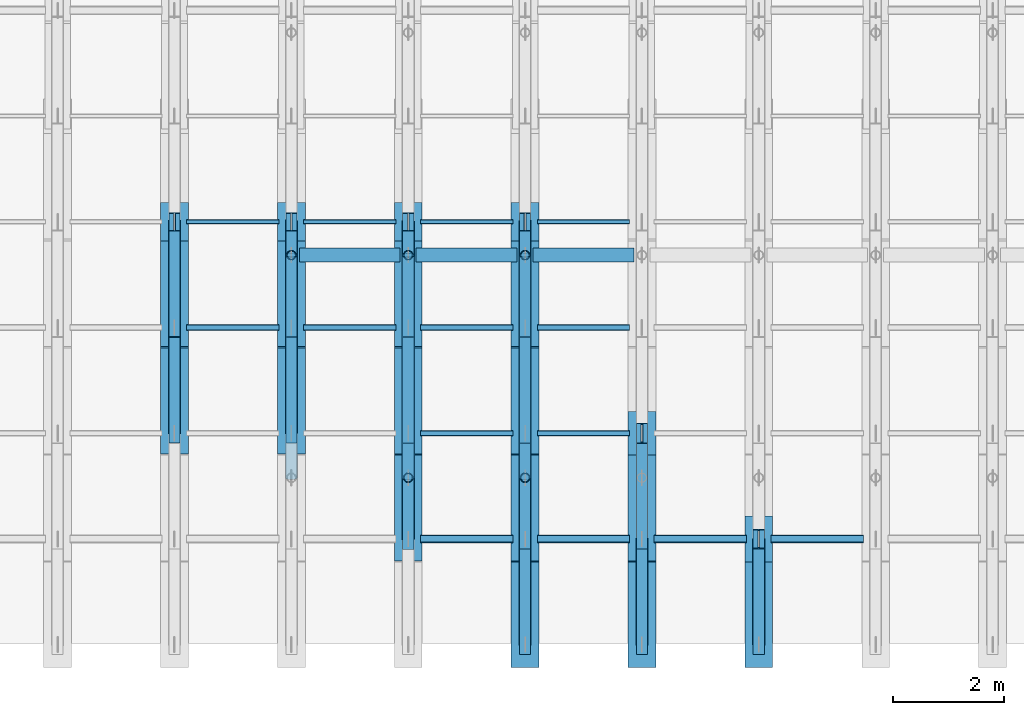
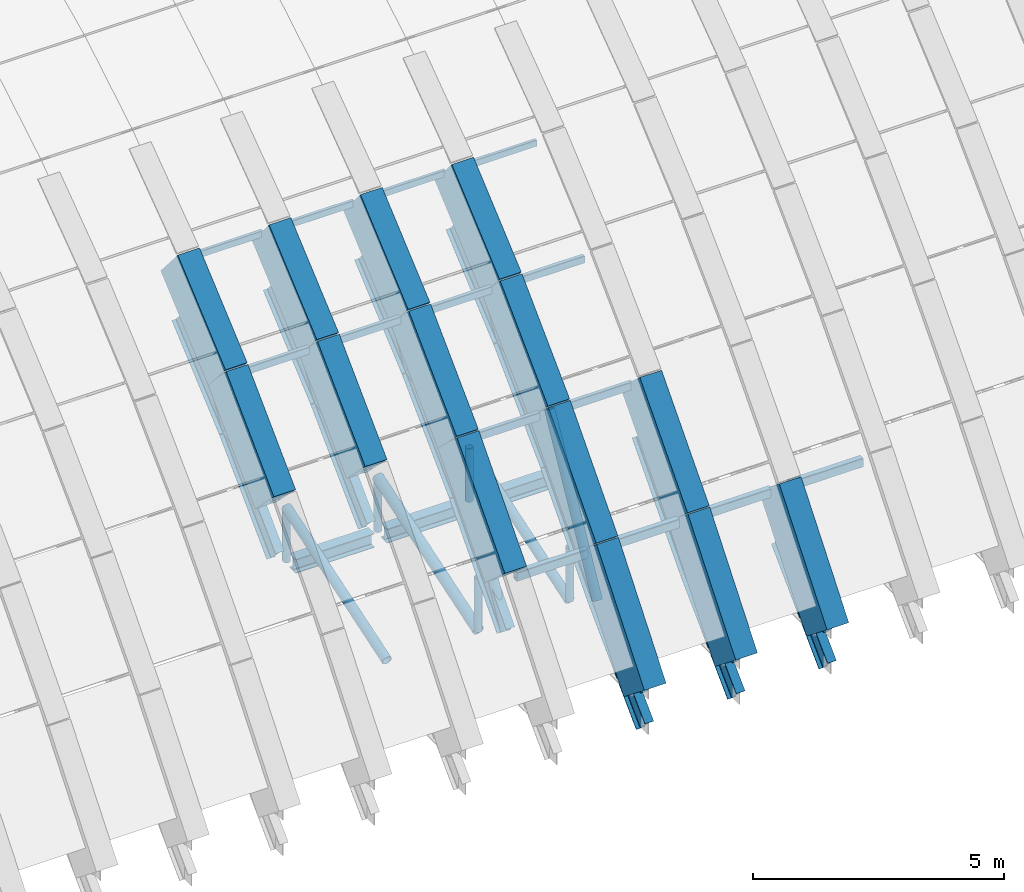
# One storey, part 6 of 67: 35 members, 31 beams.
"""IFC4 building model written with IfcOpenShell, lengths in metres."""

from ifc_helpers import new_model, si_unit, direction, frame, origin, origin_2d, place, context, subcontext, project, spatial, rectangle, hollow_rectangle, hollow_circle, i_section, extrude, material, material_profile, profile_set, type_object, element, save


model = new_model("IFC4")

# Units and contexts
model_context = context("Model", 3, precision=1e-05, world=origin(), true_north=direction((0.0, 1.0)))
body_context = subcontext(model_context, "Body", "Model", "MODEL_VIEW")
ifc_project = project(units=[si_unit("LENGTHUNIT", "METRE"), si_unit("AREAUNIT", "SQUARE_METRE"), si_unit("VOLUMEUNIT", "CUBIC_METRE"), si_unit("PLANEANGLEUNIT", "RADIAN"), si_unit("MASSUNIT", "GRAM", prefix="KILO")], contexts=[model_context])

# Site, building, storey
site_placement = place(None, origin())
site = spatial("IfcSite", under=ifc_project, at=site_placement, CompositionType="ELEMENT")
building_placement = place(site_placement, origin())
building = spatial("IfcBuilding", under=site, at=building_placement, Name="Shengluoqiao Park Theatre", CompositionType="ELEMENT")
storey_placement = place(building_placement, frame((0.0, 0.0, 28.60009765625)))
storey = spatial("IfcBuildingStorey", under=building, at=storey_placement, Name="Roof", CompositionType="ELEMENT", Elevation=28.60009765625)

# Beams
ifc_material_1 = material(Name="Concrete C50", Category="concrete")
ifc_material_profile_1 = material_profile(ifc_material_1, rectangle(XDim=0.5, YDim=1.050048828125, at=origin_2d()), Name="RC ARCH 500x1050")
ifc_profile_set_1 = profile_set([ifc_material_profile_1], Name="Concrete C50")
beam_type_1 = type_object("IfcBeamType", Name="STR-BM-AR-5010", PredefinedType="BEAM", material=ifc_profile_set_1)
beam_1_placement = place(storey_placement, frame((61.199951171875, 79.800048828125, -5.484130859375), z_axis=(0.0, 0.708926398432, 0.705282469373), x_axis=(-1.0, 0.0, 0.0)))
element("IfcBeam", 1, at=beam_1_placement, inside=storey, type_object=beam_type_1, Name="Barrel-Shell Arch Rib R09-S03", PredefinedType="BEAM", context=body_context, shape_type="SweptSolid", body=[
    extrude(rectangle(XDim=0.5, YDim=1.050048828125, at=origin_2d()), origin(), (0.0, 0.0, 1.0), 2.679931640625),
])
beam_2_placement = place(storey_placement, frame((61.199951171875, 81.699951171875, -3.593994140625), z_axis=(0.0, 0.757433195517, 0.652912669757), x_axis=(-1.0, 0.0, 0.0)))
element("IfcBeam", 2, at=beam_2_placement, inside=storey, type_object=beam_type_1, Name="Barrel-Shell Arch Rib R09-S04", PredefinedType="BEAM", context=body_context, shape_type="SweptSolid", body=[
    extrude(rectangle(XDim=0.5, YDim=1.050048828125, at=origin_2d()), origin(), (0.0, 0.0, 1.0), 2.508544921875),
])
beam_3_placement = place(storey_placement, frame((63.300048828125, 79.800048828125, -5.484130859375), z_axis=(0.0, 0.708926398432, 0.705282469373), x_axis=(-1.0, 0.0, 0.0)))
element("IfcBeam", 3, at=beam_3_placement, inside=storey, type_object=beam_type_1, Name="Barrel-Shell Arch Rib R10-S03", PredefinedType="BEAM", context=body_context, shape_type="SweptSolid", body=[
    extrude(rectangle(XDim=0.5, YDim=1.050048828125, at=origin_2d()), origin(), (0.0, 0.0, 1.0), 2.679931640625),
])
beam_4_placement = place(storey_placement, frame((63.300048828125, 81.699951171875, -3.593994140625), z_axis=(0.0, 0.757433195517, 0.652912669757), x_axis=(-1.0, 0.0, 0.0)))
element("IfcBeam", 4, at=beam_4_placement, inside=storey, type_object=beam_type_1, Name="Barrel-Shell Arch Rib R10-S04", PredefinedType="BEAM", context=body_context, shape_type="SweptSolid", body=[
    extrude(rectangle(XDim=0.5, YDim=1.050048828125, at=origin_2d()), origin(), (0.0, 0.0, 1.0), 2.508544921875),
])
beam_5_placement = place(storey_placement, frame((65.39990234375, 77.89990234375, -7.6259765625), z_axis=(0.0, 0.663638456789, 0.748053473136), x_axis=(-1.0, 0.0, 0.0)))
element("IfcBeam", 5, at=beam_5_placement, inside=storey, type_object=beam_type_1, Name="Barrel-Shell Arch Rib R11-S02", PredefinedType="BEAM", context=body_context, shape_type="SweptSolid", body=[
    extrude(rectangle(XDim=0.5, YDim=1.050048828125, at=origin_2d()), origin(), (0.0, 0.0, 1.0), 2.86328125),
])
beam_6_placement = place(storey_placement, frame((65.39990234375, 79.800048828125, -5.484130859375), z_axis=(0.0, 0.708926398432, 0.705282469373), x_axis=(-1.0, 0.0, 0.0)))
element("IfcBeam", 6, at=beam_6_placement, inside=storey, type_object=beam_type_1, Name="Barrel-Shell Arch Rib R11-S03", PredefinedType="BEAM", context=body_context, shape_type="SweptSolid", body=[
    extrude(rectangle(XDim=0.5, YDim=1.050048828125, at=origin_2d()), origin(), (0.0, 0.0, 1.0), 2.679931640625),
])
beam_7_placement = place(storey_placement, frame((65.39990234375, 81.699951171875, -3.593994140625), z_axis=(0.0, 0.757433195517, 0.652912669757), x_axis=(-1.0, 0.0, 0.0)))
element("IfcBeam", 7, at=beam_7_placement, inside=storey, type_object=beam_type_1, Name="Barrel-Shell Arch Rib R11-S04", PredefinedType="BEAM", context=body_context, shape_type="SweptSolid", body=[
    extrude(rectangle(XDim=0.5, YDim=1.050048828125, at=origin_2d()), origin(), (0.0, 0.0, 1.0), 2.508544921875),
])
beam_8_placement = place(storey_placement, frame((67.5, 76.0, -10.02001953125), z_axis=(0.0, 0.621631409309, 0.783309894588), x_axis=(-1.0, 0.0, 0.0)))
element("IfcBeam", 8, at=beam_8_placement, inside=storey, type_object=beam_type_1, Name="Barrel-Shell Arch Rib R12-S01", PredefinedType="BEAM", context=body_context, shape_type="SweptSolid", body=[
    extrude(rectangle(XDim=0.5, YDim=1.050048828125, at=origin_2d()), origin(), (0.0, 0.0, 1.0), 3.056396484375),
])
beam_9_placement = place(storey_placement, frame((67.5, 77.89990234375, -7.6259765625), z_axis=(0.0, 0.663638456789, 0.748053473136), x_axis=(-1.0, 0.0, 0.0)))
element("IfcBeam", 9, at=beam_9_placement, inside=storey, type_object=beam_type_1, Name="Barrel-Shell Arch Rib R12-S02", PredefinedType="BEAM", context=body_context, shape_type="SweptSolid", body=[
    extrude(rectangle(XDim=0.5, YDim=1.050048828125, at=origin_2d()), origin(), (0.0, 0.0, 1.0), 2.86328125),
])
beam_10_placement = place(storey_placement, frame((67.5, 79.800048828125, -5.484130859375), z_axis=(0.0, 0.708926398432, 0.705282469373), x_axis=(-1.0, 0.0, 0.0)))
element("IfcBeam", 10, at=beam_10_placement, inside=storey, type_object=beam_type_1, Name="Barrel-Shell Arch Rib R12-S03", PredefinedType="BEAM", context=body_context, shape_type="SweptSolid", body=[
    extrude(rectangle(XDim=0.5, YDim=1.050048828125, at=origin_2d()), origin(), (0.0, 0.0, 1.0), 2.679931640625),
])
beam_11_placement = place(storey_placement, frame((67.5, 81.699951171875, -3.593994140625), z_axis=(0.0, 0.757433195517, 0.652912669757), x_axis=(-1.0, 0.0, 0.0)))
element("IfcBeam", 11, at=beam_11_placement, inside=storey, type_object=beam_type_1, Name="Barrel-Shell Arch Rib R12-S04", PredefinedType="BEAM", context=body_context, shape_type="SweptSolid", body=[
    extrude(rectangle(XDim=0.5, YDim=1.050048828125, at=origin_2d()), origin(), (0.0, 0.0, 1.0), 2.508544921875),
])
beam_12_placement = place(storey_placement, frame((69.60009765625, 76.0, -10.02001953125), z_axis=(0.0, 0.621631409309, 0.783309894588), x_axis=(-1.0, 0.0, 0.0)))
element("IfcBeam", 12, at=beam_12_placement, inside=storey, type_object=beam_type_1, Name="Barrel-Shell Arch Rib R13-S01", PredefinedType="BEAM", context=body_context, shape_type="SweptSolid", body=[
    extrude(rectangle(XDim=0.5, YDim=1.050048828125, at=origin_2d()), origin(), (0.0, 0.0, 1.0), 3.056396484375),
])
beam_13_placement = place(storey_placement, frame((69.60009765625, 77.89990234375, -7.6259765625), z_axis=(0.0, 0.663638456789, 0.748053473136), x_axis=(-1.0, 0.0, 0.0)))
element("IfcBeam", 13, at=beam_13_placement, inside=storey, type_object=beam_type_1, Name="Barrel-Shell Arch Rib R13-S02", PredefinedType="BEAM", context=body_context, shape_type="SweptSolid", body=[
    extrude(rectangle(XDim=0.5, YDim=1.050048828125, at=origin_2d()), origin(), (0.0, 0.0, 1.0), 2.86328125),
])
beam_14_placement = place(storey_placement, frame((71.699951171875, 76.0, -10.02001953125), z_axis=(0.0, 0.621631409309, 0.783309894588), x_axis=(-1.0, 0.0, 0.0)))
element("IfcBeam", 14, at=beam_14_placement, inside=storey, type_object=beam_type_1, Name="Barrel-Shell Arch Rib R14-S01", PredefinedType="BEAM", context=body_context, shape_type="SweptSolid", body=[
    extrude(rectangle(XDim=0.5, YDim=1.050048828125, at=origin_2d()), origin(), (0.0, 0.0, 1.0), 3.056396484375),
])
ifc_material_2 = material(Name="Steel Q355", Category="steel")
ifc_material_profile_2 = material_profile(ifc_material_2, i_section(OverallWidth=0.25, OverallDepth=0.340087890625, WebThickness=0.009033203125, FlangeThickness=0.013916015625, FilletRadius=0.01611328125, at=origin_2d()), Name="HM 340x250x9x14")
ifc_profile_set_2 = profile_set([ifc_material_profile_2], Name="Steel Q355")
beam_type_2 = type_object("IfcBeamType", Name="STR-BM-G-HM340", PredefinedType="BEAM", material=ifc_profile_set_2)
for number, where, z_axis, x_axis, name in (
    (15, (63.444091796875, 83.0, -9.77001953125), (1.0, 0.0, 0.0), (0.0, 1.0, 0.0), "Auditorium Overhead Catwalk Girder R10-1"),
    (16, (65.5439453125, 83.0, -9.77001953125), (1.0, 0.0, 0.0), (0.0, 1.0, 0.0), "Auditorium Overhead Catwalk Girder R11-1"),
    (17, (67.64404296875, 83.0, -9.77001953125), (1.0, 0.0, 0.0), (0.0, 1.0, 0.0), "Auditorium Overhead Catwalk Girder R12-1"),
):
    element("IfcBeam", number, at=place(storey_placement, frame(where, z_axis=z_axis, x_axis=x_axis)), inside=storey, type_object=beam_type_2, Name=name, PredefinedType="BEAM", context=body_context, shape_type="SweptSolid", body=[
        extrude(i_section(OverallWidth=0.25, OverallDepth=0.340087890625, WebThickness=0.009033203125, FlangeThickness=0.013916015625, FilletRadius=0.01611328125, at=origin_2d()), origin(), (0.0, 0.0, 1.0), 1.81201171875),
    ])
ifc_material_profile_3 = material_profile(ifc_material_2, i_section(OverallWidth=0.199951171875, OverallDepth=0.5, WebThickness=0.010009765625, FlangeThickness=0.01611328125, FilletRadius=0.01806640625, at=origin_2d()), Name="HN 500x200x10x16")
ifc_profile_set_3 = profile_set([ifc_material_profile_3], Name="Steel Q355")
beam_type_3 = type_object("IfcBeamType", Name="STR-BM-J-HN500", PredefinedType="JOIST", material=ifc_profile_set_3)
beam_15_placement = place(storey_placement, frame((61.199951171875, 79.800048828125, -6.843994140625), z_axis=(0.0, 0.708971948389, 0.70523668112), x_axis=(-1.0, 0.0, 0.0)))
element("IfcBeam", 18, at=beam_15_placement, inside=storey, type_object=beam_type_3, Name="Barrel-Shell Lower Arch Chord R09-S03", PredefinedType="JOIST", context=body_context, shape_type="SweptSolid", body=[
    extrude(i_section(OverallWidth=0.199951171875, OverallDepth=0.5, WebThickness=0.010009765625, FlangeThickness=0.01611328125, FilletRadius=0.01806640625, at=origin_2d()), origin(), (0.0, 0.0, 1.0), 2.6796875),
])
beam_16_placement = place(storey_placement, frame((61.199951171875, 81.699951171875, -4.9541015625), z_axis=(0.0, 0.757433195517, 0.652912669757), x_axis=(-1.0, 0.0, 0.0)))
element("IfcBeam", 19, at=beam_16_placement, inside=storey, type_object=beam_type_3, Name="Barrel-Shell Lower Arch Chord R09-S04", PredefinedType="JOIST", context=body_context, shape_type="SweptSolid", body=[
    extrude(i_section(OverallWidth=0.199951171875, OverallDepth=0.5, WebThickness=0.010009765625, FlangeThickness=0.01611328125, FilletRadius=0.01806640625, at=origin_2d()), origin(), (0.0, 0.0, 1.0), 2.508544921875),
])
beam_17_placement = place(storey_placement, frame((63.300048828125, 79.800048828125, -6.843994140625), z_axis=(0.0, 0.708971948389, 0.70523668112), x_axis=(-1.0, 0.0, 0.0)))
element("IfcBeam", 20, at=beam_17_placement, inside=storey, type_object=beam_type_3, Name="Barrel-Shell Lower Arch Chord R10-S03", PredefinedType="JOIST", context=body_context, shape_type="SweptSolid", body=[
    extrude(i_section(OverallWidth=0.199951171875, OverallDepth=0.5, WebThickness=0.010009765625, FlangeThickness=0.01611328125, FilletRadius=0.01806640625, at=origin_2d()), origin(), (0.0, 0.0, 1.0), 2.6796875),
])
beam_18_placement = place(storey_placement, frame((63.300048828125, 81.699951171875, -4.9541015625), z_axis=(0.0, 0.757433195517, 0.652912669757), x_axis=(-1.0, 0.0, 0.0)))
element("IfcBeam", 21, at=beam_18_placement, inside=storey, type_object=beam_type_3, Name="Barrel-Shell Lower Arch Chord R10-S04", PredefinedType="JOIST", context=body_context, shape_type="SweptSolid", body=[
    extrude(i_section(OverallWidth=0.199951171875, OverallDepth=0.5, WebThickness=0.010009765625, FlangeThickness=0.01611328125, FilletRadius=0.01806640625, at=origin_2d()), origin(), (0.0, 0.0, 1.0), 2.508544921875),
])
beam_19_placement = place(storey_placement, frame((65.39990234375, 77.89990234375, -8.986083984375), z_axis=(0.0, 0.663596128385, 0.748091022799), x_axis=(-1.0, 0.0, 0.0)))
element("IfcBeam", 22, at=beam_19_placement, inside=storey, type_object=beam_type_3, Name="Barrel-Shell Lower Arch Chord R11-S02", PredefinedType="JOIST", context=body_context, shape_type="SweptSolid", body=[
    extrude(i_section(OverallWidth=0.199951171875, OverallDepth=0.5, WebThickness=0.010009765625, FlangeThickness=0.01611328125, FilletRadius=0.01806640625, at=origin_2d()), origin(), (0.0, 0.0, 1.0), 2.863525390625),
])
beam_20_placement = place(storey_placement, frame((65.39990234375, 79.800048828125, -6.843994140625), z_axis=(0.0, 0.708971948389, 0.70523668112), x_axis=(-1.0, 0.0, 0.0)))
element("IfcBeam", 23, at=beam_20_placement, inside=storey, type_object=beam_type_3, Name="Barrel-Shell Lower Arch Chord R11-S03", PredefinedType="JOIST", context=body_context, shape_type="SweptSolid", body=[
    extrude(i_section(OverallWidth=0.199951171875, OverallDepth=0.5, WebThickness=0.010009765625, FlangeThickness=0.01611328125, FilletRadius=0.01806640625, at=origin_2d()), origin(), (0.0, 0.0, 1.0), 2.6796875),
])
beam_21_placement = place(storey_placement, frame((65.39990234375, 81.699951171875, -4.9541015625), z_axis=(0.0, 0.757433195517, 0.652912669757), x_axis=(-1.0, 0.0, 0.0)))
element("IfcBeam", 24, at=beam_21_placement, inside=storey, type_object=beam_type_3, Name="Barrel-Shell Lower Arch Chord R11-S04", PredefinedType="JOIST", context=body_context, shape_type="SweptSolid", body=[
    extrude(i_section(OverallWidth=0.199951171875, OverallDepth=0.5, WebThickness=0.010009765625, FlangeThickness=0.01611328125, FilletRadius=0.01806640625, at=origin_2d()), origin(), (0.0, 0.0, 1.0), 2.508544921875),
])
beam_22_placement = place(storey_placement, frame((67.5, 76.0, -10.880126953125), z_axis=(0.0, 0.708197993403, 0.706013882398), x_axis=(-1.0, 0.0, 0.0)))
element("IfcBeam", 25, at=beam_22_placement, inside=storey, type_object=beam_type_3, Name="Barrel-Shell Lower Arch Chord R12-S01", PredefinedType="JOIST", context=body_context, shape_type="SweptSolid", body=[
    extrude(i_section(OverallWidth=0.199951171875, OverallDepth=0.5, WebThickness=0.010009765625, FlangeThickness=0.01611328125, FilletRadius=0.01806640625, at=origin_2d()), origin(), (0.0, 0.0, 1.0), 2.6826171875),
])
beam_23_placement = place(storey_placement, frame((67.5, 77.89990234375, -8.986083984375), z_axis=(0.0, 0.663596128385, 0.748091022799), x_axis=(-1.0, 0.0, 0.0)))
element("IfcBeam", 26, at=beam_23_placement, inside=storey, type_object=beam_type_3, Name="Barrel-Shell Lower Arch Chord R12-S02", PredefinedType="JOIST", context=body_context, shape_type="SweptSolid", body=[
    extrude(i_section(OverallWidth=0.199951171875, OverallDepth=0.5, WebThickness=0.010009765625, FlangeThickness=0.01611328125, FilletRadius=0.01806640625, at=origin_2d()), origin(), (0.0, 0.0, 1.0), 2.863525390625),
])
beam_24_placement = place(storey_placement, frame((67.5, 79.800048828125, -6.843994140625), z_axis=(0.0, 0.708971948389, 0.70523668112), x_axis=(-1.0, 0.0, 0.0)))
element("IfcBeam", 27, at=beam_24_placement, inside=storey, type_object=beam_type_3, Name="Barrel-Shell Lower Arch Chord R12-S03", PredefinedType="JOIST", context=body_context, shape_type="SweptSolid", body=[
    extrude(i_section(OverallWidth=0.199951171875, OverallDepth=0.5, WebThickness=0.010009765625, FlangeThickness=0.01611328125, FilletRadius=0.01806640625, at=origin_2d()), origin(), (0.0, 0.0, 1.0), 2.6796875),
])
beam_25_placement = place(storey_placement, frame((67.5, 81.699951171875, -4.9541015625), z_axis=(0.0, 0.757433195517, 0.652912669757), x_axis=(-1.0, 0.0, 0.0)))
element("IfcBeam", 28, at=beam_25_placement, inside=storey, type_object=beam_type_3, Name="Barrel-Shell Lower Arch Chord R12-S04", PredefinedType="JOIST", context=body_context, shape_type="SweptSolid", body=[
    extrude(i_section(OverallWidth=0.199951171875, OverallDepth=0.5, WebThickness=0.010009765625, FlangeThickness=0.01611328125, FilletRadius=0.01806640625, at=origin_2d()), origin(), (0.0, 0.0, 1.0), 2.508544921875),
])
beam_26_placement = place(storey_placement, frame((69.60009765625, 76.0, -10.880126953125), z_axis=(0.0, 0.708197993403, 0.706013882398), x_axis=(-1.0, 0.0, 0.0)))
element("IfcBeam", 29, at=beam_26_placement, inside=storey, type_object=beam_type_3, Name="Barrel-Shell Lower Arch Chord R13-S01", PredefinedType="JOIST", context=body_context, shape_type="SweptSolid", body=[
    extrude(i_section(OverallWidth=0.199951171875, OverallDepth=0.5, WebThickness=0.010009765625, FlangeThickness=0.01611328125, FilletRadius=0.01806640625, at=origin_2d()), origin(), (0.0, 0.0, 1.0), 2.6826171875),
])
beam_27_placement = place(storey_placement, frame((69.60009765625, 77.89990234375, -8.986083984375), z_axis=(0.0, 0.663596128385, 0.748091022799), x_axis=(-1.0, 0.0, 0.0)))
element("IfcBeam", 30, at=beam_27_placement, inside=storey, type_object=beam_type_3, Name="Barrel-Shell Lower Arch Chord R13-S02", PredefinedType="JOIST", context=body_context, shape_type="SweptSolid", body=[
    extrude(i_section(OverallWidth=0.199951171875, OverallDepth=0.5, WebThickness=0.010009765625, FlangeThickness=0.01611328125, FilletRadius=0.01806640625, at=origin_2d()), origin(), (0.0, 0.0, 1.0), 2.863525390625),
])
beam_28_placement = place(storey_placement, frame((71.699951171875, 76.0, -10.880126953125), z_axis=(0.0, 0.708197993403, 0.706013882398), x_axis=(-1.0, 0.0, 0.0)))
element("IfcBeam", 31, at=beam_28_placement, inside=storey, type_object=beam_type_3, Name="Barrel-Shell Lower Arch Chord R14-S01", PredefinedType="JOIST", context=body_context, shape_type="SweptSolid", body=[
    extrude(i_section(OverallWidth=0.199951171875, OverallDepth=0.5, WebThickness=0.010009765625, FlangeThickness=0.01611328125, FilletRadius=0.01806640625, at=origin_2d()), origin(), (0.0, 0.0, 1.0), 2.6826171875),
])

# Members
ifc_material_profile_4 = material_profile(ifc_material_2, hollow_circle(Radius=0.109619140625, WallThickness=0.010009765625, at=origin_2d()), Name="CHS 219x10")
ifc_profile_set_4 = profile_set([ifc_material_profile_4], Name="Steel Q355")
member_type_1 = type_object("IfcMemberType", Name="STR-MEM-BRC-219", PredefinedType="BRACE", material=ifc_profile_set_4)
member_1_placement = place(storey_placement, frame((61.199951171875, 79.800048828125, -5.484130859375), z_axis=(0.0, 0.963219400843, 0.268716180831), x_axis=(-1.0, 0.0, 0.0)))
element("IfcMember", 32, at=member_1_placement, inside=storey, type_object=member_type_1, Name="Barrel-Shell Arch Truss Web 0163", PredefinedType="BRACE", context=body_context, shape_type="SweptSolid", body=[
    extrude(hollow_circle(Radius=0.109619140625, WallThickness=0.010009765625, at=origin_2d()), origin(), (0.0, 0.0, 1.0), 1.972412109375),
])
member_2_placement = place(storey_placement, frame((61.199951171875, 81.699951171875, -4.9541015625), z_axis=(0.0, 0.535330234694, 0.844642847494), x_axis=(-1.0, 0.0, 0.0)))
element("IfcMember", 33, at=member_2_placement, inside=storey, type_object=member_type_1, Name="Barrel-Shell Arch Truss Web 0164", PredefinedType="BRACE", context=body_context, shape_type="SweptSolid", body=[
    extrude(hollow_circle(Radius=0.109619140625, WallThickness=0.010009765625, at=origin_2d()), origin(), (0.0, 0.0, 1.0), 3.549560546875),
])
member_3_placement = place(storey_placement, frame((63.300048828125, 79.800048828125, -5.484130859375), z_axis=(0.0, 0.963219400843, 0.268716180831), x_axis=(-1.0, 0.0, 0.0)))
element("IfcMember", 34, at=member_3_placement, inside=storey, type_object=member_type_1, Name="Barrel-Shell Arch Truss Web 0183", PredefinedType="BRACE", context=body_context, shape_type="SweptSolid", body=[
    extrude(hollow_circle(Radius=0.109619140625, WallThickness=0.010009765625, at=origin_2d()), origin(), (0.0, 0.0, 1.0), 1.972412109375),
])
member_4_placement = place(storey_placement, frame((63.300048828125, 81.699951171875, -4.9541015625), z_axis=(0.0, 0.535330234694, 0.844642847494), x_axis=(-1.0, 0.0, 0.0)))
element("IfcMember", 35, at=member_4_placement, inside=storey, type_object=member_type_1, Name="Barrel-Shell Arch Truss Web 0184", PredefinedType="BRACE", context=body_context, shape_type="SweptSolid", body=[
    extrude(hollow_circle(Radius=0.109619140625, WallThickness=0.010009765625, at=origin_2d()), origin(), (0.0, 0.0, 1.0), 3.549560546875),
])
member_5_placement = place(storey_placement, frame((65.39990234375, 77.89990234375, -8.986083984375), z_axis=(0.0, 0.476914707828, 0.87894957845), x_axis=(-1.0, 0.0, 0.0)))
element("IfcMember", 36, at=member_5_placement, inside=storey, type_object=member_type_1, Name="Barrel-Shell Arch Truss Web 0202", PredefinedType="BRACE", context=body_context, shape_type="SweptSolid", body=[
    extrude(hollow_circle(Radius=0.109619140625, WallThickness=0.010009765625, at=origin_2d()), origin(), (0.0, 0.0, 1.0), 3.984130859375),
])
member_6_placement = place(storey_placement, frame((65.39990234375, 79.800048828125, -5.484130859375), z_axis=(0.0, 0.963219400843, 0.268716180831), x_axis=(-1.0, 0.0, 0.0)))
element("IfcMember", 37, at=member_6_placement, inside=storey, type_object=member_type_1, Name="Barrel-Shell Arch Truss Web 0203", PredefinedType="BRACE", context=body_context, shape_type="SweptSolid", body=[
    extrude(hollow_circle(Radius=0.109619140625, WallThickness=0.010009765625, at=origin_2d()), origin(), (0.0, 0.0, 1.0), 1.972412109375),
])
member_7_placement = place(storey_placement, frame((65.39990234375, 81.699951171875, -4.9541015625), z_axis=(0.0, 0.535330234694, 0.844642847494), x_axis=(-1.0, 0.0, 0.0)))
element("IfcMember", 38, at=member_7_placement, inside=storey, type_object=member_type_1, Name="Barrel-Shell Arch Truss Web 0204", PredefinedType="BRACE", context=body_context, shape_type="SweptSolid", body=[
    extrude(hollow_circle(Radius=0.109619140625, WallThickness=0.010009765625, at=origin_2d()), origin(), (0.0, 0.0, 1.0), 3.549560546875),
])
member_8_placement = place(storey_placement, frame((67.5, 76.0, -10.02001953125), z_axis=(0.0, 0.878356711208, 0.478005740422), x_axis=(-1.0, 0.0, 0.0)))
element("IfcMember", 39, at=member_8_placement, inside=storey, type_object=member_type_1, Name="Barrel-Shell Arch Truss Web 0221", PredefinedType="BRACE", context=body_context, shape_type="SweptSolid", body=[
    extrude(hollow_circle(Radius=0.109619140625, WallThickness=0.010009765625, at=origin_2d()), origin(), (0.0, 0.0, 1.0), 2.1630859375),
])
member_9_placement = place(storey_placement, frame((67.5, 77.89990234375, -8.986083984375), z_axis=(0.0, 0.476914707828, 0.87894957845), x_axis=(-1.0, 0.0, 0.0)))
element("IfcMember", 40, at=member_9_placement, inside=storey, type_object=member_type_1, Name="Barrel-Shell Arch Truss Web 0222", PredefinedType="BRACE", context=body_context, shape_type="SweptSolid", body=[
    extrude(hollow_circle(Radius=0.109619140625, WallThickness=0.010009765625, at=origin_2d()), origin(), (0.0, 0.0, 1.0), 3.984130859375),
])
member_10_placement = place(storey_placement, frame((67.5, 79.800048828125, -5.484130859375), z_axis=(0.0, 0.963219400843, 0.268716180831), x_axis=(-1.0, 0.0, 0.0)))
element("IfcMember", 41, at=member_10_placement, inside=storey, type_object=member_type_1, Name="Barrel-Shell Arch Truss Web 0223", PredefinedType="BRACE", context=body_context, shape_type="SweptSolid", body=[
    extrude(hollow_circle(Radius=0.109619140625, WallThickness=0.010009765625, at=origin_2d()), origin(), (0.0, 0.0, 1.0), 1.972412109375),
])
member_11_placement = place(storey_placement, frame((67.5, 81.699951171875, -4.9541015625), z_axis=(0.0, 0.535330234694, 0.844642847494), x_axis=(-1.0, 0.0, 0.0)))
element("IfcMember", 42, at=member_11_placement, inside=storey, type_object=member_type_1, Name="Barrel-Shell Arch Truss Web 0224", PredefinedType="BRACE", context=body_context, shape_type="SweptSolid", body=[
    extrude(hollow_circle(Radius=0.109619140625, WallThickness=0.010009765625, at=origin_2d()), origin(), (0.0, 0.0, 1.0), 3.549560546875),
])
for number, where, z_axis, x_axis, name in (
    (43, (69.60009765625, 76.0, -10.02001953125), (0.0, 0.878356711208, 0.478005740422), (-1.0, 0.0, 0.0), "Barrel-Shell Arch Truss Web 0241"),
    (44, (71.699951171875, 76.0, -10.02001953125), (0.0, 0.878356711208, 0.478005740422), (-1.0, 0.0, 0.0), "Barrel-Shell Arch Truss Web 0261"),
):
    element("IfcMember", number, at=place(storey_placement, frame(where, z_axis=z_axis, x_axis=x_axis)), inside=storey, type_object=member_type_1, Name=name, PredefinedType="BRACE", context=body_context, shape_type="SweptSolid", body=[
        extrude(hollow_circle(Radius=0.109619140625, WallThickness=0.010009765625, at=origin_2d()), origin(), (0.0, 0.0, 1.0), 2.1630859375),
    ])
for number, where, z_axis, x_axis, name in (
    (45, (63.300048828125, 79.0, -9.650146484375), (0.0, 0.951030656115, 0.309096572498), (-1.0, 0.0, 0.0), "Acoustic Tie Truss Diagonal 0010"),
    (46, (67.5, 79.0, -9.650146484375), (0.0, 0.951030656115, 0.309096572498), (-1.0, 0.0, 0.0), "Acoustic Tie Truss Diagonal 0044"),
):
    element("IfcMember", number, at=place(storey_placement, frame(where, z_axis=z_axis, x_axis=x_axis)), inside=storey, type_object=member_type_1, Name=name, PredefinedType="BRACE", context=body_context, shape_type="SweptSolid", body=[
        extrude(hollow_circle(Radius=0.109619140625, WallThickness=0.010009765625, at=origin_2d()), origin(), (0.0, 0.0, 1.0), 4.2060546875),
    ])
ifc_material_profile_5 = material_profile(ifc_material_2, hollow_circle(Radius=0.12255859375, WallThickness=0.010009765625, at=origin_2d()), Name="CHS 245x10")
ifc_profile_set_5 = profile_set([ifc_material_profile_5], Name="Steel Q355")
member_type_2 = type_object("IfcMemberType", Name="STR-MEM-BRC-245", PredefinedType="BRACE", material=ifc_profile_set_5)
member_12_placement = place(storey_placement, frame((65.39990234375, 79.0, -9.650146484375), z_axis=(0.0, 0.951030656115, 0.309096572498), x_axis=(-1.0, 0.0, 0.0)))
element("IfcMember", 47, at=member_12_placement, inside=storey, type_object=member_type_2, Name="Acoustic Tie Truss Diagonal 0027", PredefinedType="BRACE", context=body_context, shape_type="SweptSolid", body=[
    extrude(hollow_circle(Radius=0.12255859375, WallThickness=0.010009765625, at=origin_2d()), origin(), (0.0, 0.0, 1.0), 4.2060546875),
])
ifc_material_profile_6 = material_profile(ifc_material_2, hollow_rectangle(XDim=0.080078125, YDim=0.159912109375, WallThickness=0.006103515625, InnerFilletRadius=0.006103515625, OuterFilletRadius=0.011962890625, at=origin_2d()), Name="RHS 160x80x6")
ifc_profile_set_6 = profile_set([ifc_material_profile_6], Name="Steel Q355")
member_type_3 = type_object("IfcMemberType", Name="STR-MEM-PU-R160", PredefinedType="PURLIN", material=ifc_profile_set_6)
member_13_placement = place(storey_placement, frame((61.419921875, 83.60009765625, -1.97607421875), z_axis=(1.0, 0.0, 0.0), x_axis=(0.0, 1.0, 0.0)))
element("IfcMember", 48, at=member_13_placement, inside=storey, type_object=member_type_3, Name="Shell Longitudinal Purlin 0156", PredefinedType="PURLIN", context=body_context, shape_type="SweptSolid", body=[
    extrude(hollow_rectangle(XDim=0.080078125, YDim=0.159912109375, WallThickness=0.006103515625, InnerFilletRadius=0.006103515625, OuterFilletRadius=0.011962890625, at=origin_2d()), origin(), (0.0, 0.0, 1.0), 1.66015625),
])
for number, where, z_axis, x_axis, name in (
    (49, (63.52001953125, 83.60009765625, -1.97607421875), (1.0, 0.0, 0.0), (0.0, 1.0, 0.0), "Shell Longitudinal Purlin 0175"),
    (50, (65.6201171875, 83.60009765625, -1.97607421875), (1.0, 0.0, 0.0), (0.0, 1.0, 0.0), "Shell Longitudinal Purlin 0194"),
    (51, (67.719970703125, 83.60009765625, -1.97607421875), (1.0, 0.0, 0.0), (0.0, 1.0, 0.0), "Shell Longitudinal Purlin 0213"),
):
    element("IfcMember", number, at=place(storey_placement, frame(where, z_axis=z_axis, x_axis=x_axis)), inside=storey, type_object=member_type_3, Name=name, PredefinedType="PURLIN", context=body_context, shape_type="SweptSolid", body=[
        extrude(hollow_rectangle(XDim=0.080078125, YDim=0.159912109375, WallThickness=0.006103515625, InnerFilletRadius=0.006103515625, OuterFilletRadius=0.011962890625, at=origin_2d()), origin(), (0.0, 0.0, 1.0), 1.659912109375),
    ])
ifc_material_profile_7 = material_profile(ifc_material_2, hollow_rectangle(XDim=0.10009765625, YDim=0.179931640625, WallThickness=0.008056640625, InnerFilletRadius=0.008056640625, OuterFilletRadius=0.01611328125, at=origin_2d()), Name="RHS 180x100x8")
ifc_profile_set_7 = profile_set([ifc_material_profile_7], Name="Steel Q355")
member_type_4 = type_object("IfcMemberType", Name="STR-MEM-PU-R180", PredefinedType="PURLIN", material=ifc_profile_set_7)
member_14_placement = place(storey_placement, frame((61.419921875, 81.699951171875, -3.64404296875), z_axis=(1.0, 0.0, 0.0), x_axis=(0.0, 1.0, 0.0)))
element("IfcMember", 52, at=member_14_placement, inside=storey, type_object=member_type_4, Name="Shell Longitudinal Purlin 0155", PredefinedType="PURLIN", context=body_context, shape_type="SweptSolid", body=[
    extrude(hollow_rectangle(XDim=0.10009765625, YDim=0.179931640625, WallThickness=0.008056640625, InnerFilletRadius=0.008056640625, OuterFilletRadius=0.01611328125, at=origin_2d()), origin(), (0.0, 0.0, 1.0), 1.66015625),
])
for number, where, z_axis, x_axis, name in (
    (53, (63.52001953125, 81.699951171875, -3.64404296875), (1.0, 0.0, 0.0), (0.0, 1.0, 0.0), "Shell Longitudinal Purlin 0174"),
    (54, (65.6201171875, 81.699951171875, -3.64404296875), (1.0, 0.0, 0.0), (0.0, 1.0, 0.0), "Shell Longitudinal Purlin 0193"),
    (55, (67.719970703125, 81.699951171875, -3.64404296875), (1.0, 0.0, 0.0), (0.0, 1.0, 0.0), "Shell Longitudinal Purlin 0212"),
):
    element("IfcMember", number, at=place(storey_placement, frame(where, z_axis=z_axis, x_axis=x_axis)), inside=storey, type_object=member_type_4, Name=name, PredefinedType="PURLIN", context=body_context, shape_type="SweptSolid", body=[
        extrude(hollow_rectangle(XDim=0.10009765625, YDim=0.179931640625, WallThickness=0.008056640625, InnerFilletRadius=0.008056640625, OuterFilletRadius=0.01611328125, at=origin_2d()), origin(), (0.0, 0.0, 1.0), 1.659912109375),
    ])
ifc_material_profile_8 = material_profile(ifc_material_2, hollow_rectangle(XDim=0.10009765625, YDim=0.199951171875, WallThickness=0.008056640625, InnerFilletRadius=0.008056640625, OuterFilletRadius=0.01611328125, at=origin_2d()), Name="RHS 200x100x8")
ifc_profile_set_8 = profile_set([ifc_material_profile_8], Name="Steel Q355")
member_type_5 = type_object("IfcMemberType", Name="STR-MEM-PU-R200", PredefinedType="PURLIN", material=ifc_profile_set_8)
for number, where, z_axis, x_axis, name in (
    (56, (65.6201171875, 79.800048828125, -5.564208984375), (1.0, 0.0, 0.0), (0.0, 1.0, 0.0), "Shell Longitudinal Purlin 0192"),
    (57, (67.719970703125, 79.800048828125, -5.564208984375), (1.0, 0.0, 0.0), (0.0, 1.0, 0.0), "Shell Longitudinal Purlin 0211"),
):
    element("IfcMember", number, at=place(storey_placement, frame(where, z_axis=z_axis, x_axis=x_axis)), inside=storey, type_object=member_type_5, Name=name, PredefinedType="PURLIN", context=body_context, shape_type="SweptSolid", body=[
        extrude(hollow_rectangle(XDim=0.10009765625, YDim=0.199951171875, WallThickness=0.008056640625, InnerFilletRadius=0.008056640625, OuterFilletRadius=0.01611328125, at=origin_2d()), origin(), (0.0, 0.0, 1.0), 1.659912109375),
    ])
ifc_material_profile_9 = material_profile(ifc_material_2, hollow_rectangle(XDim=0.139892578125, YDim=0.219970703125, WallThickness=0.010009765625, InnerFilletRadius=0.010009765625, OuterFilletRadius=0.02001953125, at=origin_2d()), Name="RHS 220x140x10")
ifc_profile_set_9 = profile_set([ifc_material_profile_9], Name="Steel Q355")
member_type_6 = type_object("IfcMemberType", Name="STR-MEM-PU-R220", PredefinedType="PURLIN", material=ifc_profile_set_9)
for number, where, z_axis, x_axis, name in (
    (58, (65.6201171875, 77.89990234375, -7.736083984375), (1.0, 0.0, 0.0), (0.0, 1.0, 0.0), "Shell Longitudinal Purlin 0191"),
    (59, (67.719970703125, 77.89990234375, -7.736083984375), (1.0, 0.0, 0.0), (0.0, 1.0, 0.0), "Shell Longitudinal Purlin 0210"),
    (60, (69.820068359375, 77.89990234375, -7.736083984375), (1.0, 0.0, 0.0), (0.0, 1.0, 0.0), "Shell Longitudinal Purlin 0229"),
):
    element("IfcMember", number, at=place(storey_placement, frame(where, z_axis=z_axis, x_axis=x_axis)), inside=storey, type_object=member_type_6, Name=name, PredefinedType="PURLIN", context=body_context, shape_type="SweptSolid", body=[
        extrude(hollow_rectangle(XDim=0.139892578125, YDim=0.219970703125, WallThickness=0.010009765625, InnerFilletRadius=0.010009765625, OuterFilletRadius=0.02001953125, at=origin_2d()), origin(), (0.0, 0.0, 1.0), 1.659912109375),
    ])
member_15_placement = place(storey_placement, frame((71.919921875, 77.89990234375, -7.736083984375), z_axis=(1.0, 0.0, 0.0), x_axis=(0.0, 1.0, 0.0)))
element("IfcMember", 61, at=member_15_placement, inside=storey, type_object=member_type_6, Name="Shell Longitudinal Purlin 0248", PredefinedType="PURLIN", context=body_context, shape_type="SweptSolid", body=[
    extrude(hollow_rectangle(XDim=0.139892578125, YDim=0.219970703125, WallThickness=0.010009765625, InnerFilletRadius=0.010009765625, OuterFilletRadius=0.02001953125, at=origin_2d()), origin(), (0.0, 0.0, 1.0), 1.66015625),
])
ifc_material_profile_10 = material_profile(ifc_material_2, hollow_circle(Radius=0.083984375, WallThickness=0.008056640625, at=origin_2d()), Name="CHS 168x8")
ifc_profile_set_10 = profile_set([ifc_material_profile_10], Name="Steel Q355")
member_type_7 = type_object("IfcMemberType", Name="STR-MEM-STC-168", PredefinedType="STRUT", material=ifc_profile_set_10)
for number, where, z_axis, x_axis, name in (
    (62, (63.300048828125, 83.0, -9.650146484375), (0.0, 0.0, 1.0), (1.0, 0.0, 0.0), "Acoustic Tie Truss Strut 0002"),
    (63, (65.39990234375, 79.0, -9.650146484375), (0.0, 0.0, 1.0), (1.0, 0.0, 0.0), "Acoustic Tie Truss Strut 0018"),
    (64, (65.39990234375, 83.0, -9.650146484375), (0.0, 0.0, 1.0), (1.0, 0.0, 0.0), "Acoustic Tie Truss Strut 0019"),
    (65, (67.5, 79.0, -9.650146484375), (0.0, 0.0, 1.0), (1.0, 0.0, 0.0), "Acoustic Tie Truss Strut 0035"),
    (66, (67.5, 83.0, -9.650146484375), (0.0, 0.0, 1.0), (1.0, 0.0, 0.0), "Acoustic Tie Truss Strut 0036"),
):
    element("IfcMember", number, at=place(storey_placement, frame(where, z_axis=z_axis, x_axis=x_axis)), inside=storey, type_object=member_type_7, Name=name, PredefinedType="STRUT", context=body_context, shape_type="SweptSolid", body=[
        extrude(hollow_circle(Radius=0.083984375, WallThickness=0.008056640625, at=origin_2d()), origin(), (0.0, 0.0, 1.0), 1.300048828125),
    ])

save(model, "model.ifc")
